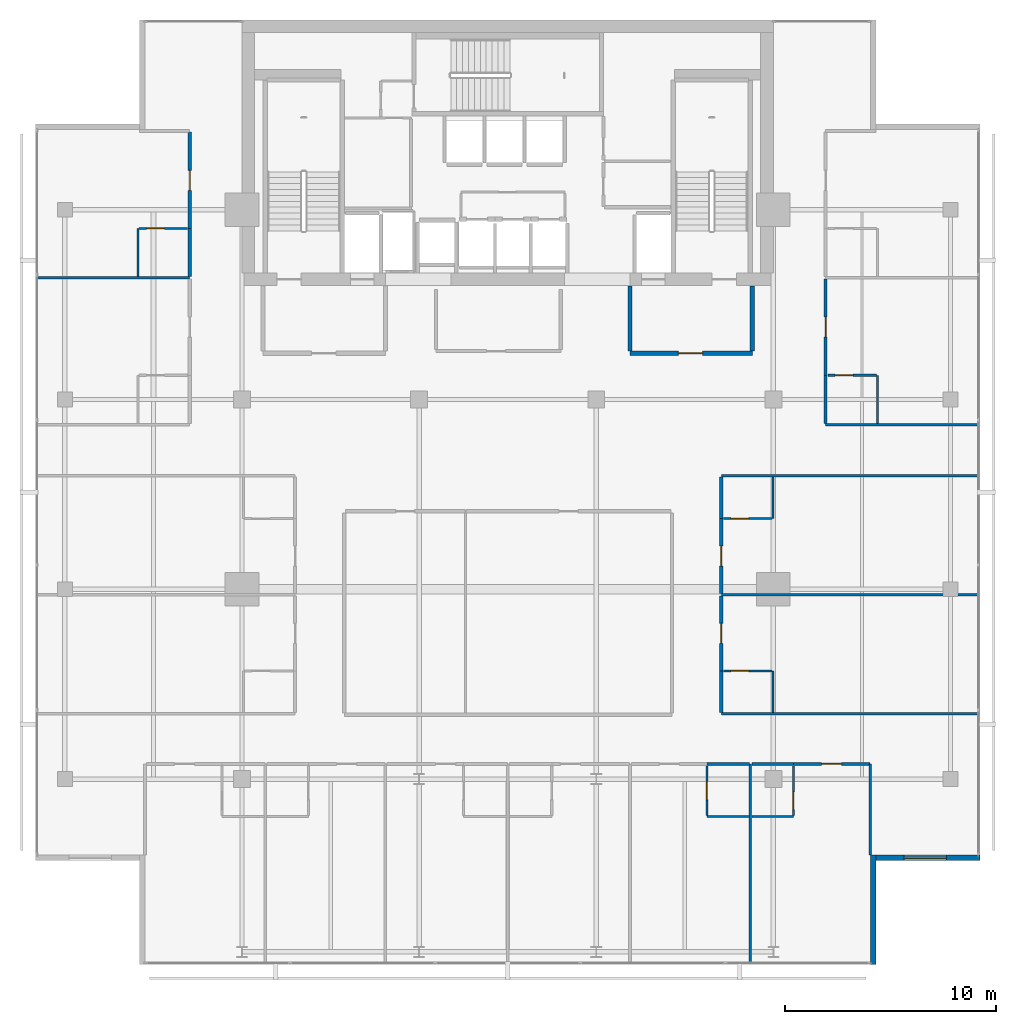
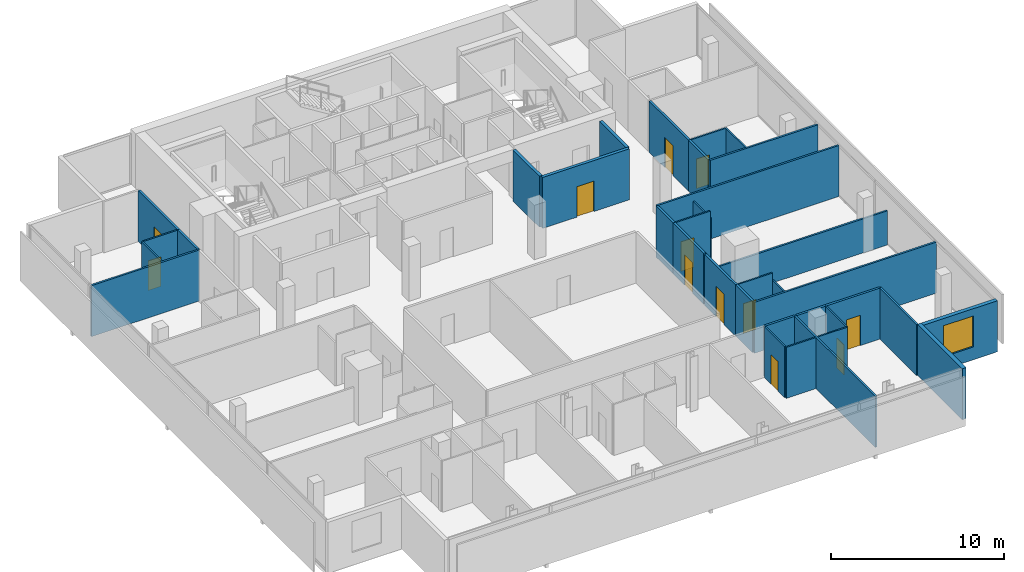
# One storey, part 21 of 25: 35 walls, 12 doors, 1 window, 13 openings.
"""IFC4 building model written with IfcOpenShell, lengths in metres."""

from ifc_helpers import new_model, si_unit, direction, frame, frame_2d, origin, place, context, subcontext, project, spatial, rectangle, extrude, material, layer, layer_set, type_object, element, fill, save


model = new_model("IFC4")

# Units and contexts
model_context = context("Model", 3, precision=1e-05, world=origin(), true_north=direction((0.0, 1.0)))
body_context = subcontext(model_context, "Body", "Model", "MODEL_VIEW")
ifc_project = project(units=[si_unit("LENGTHUNIT", "METRE"), si_unit("AREAUNIT", "SQUARE_METRE"), si_unit("VOLUMEUNIT", "CUBIC_METRE"), si_unit("PLANEANGLEUNIT", "RADIAN"), si_unit("MASSUNIT", "GRAM", prefix="KILO")], contexts=[model_context])

# Site, building, storey
site_placement = place(None, origin())
site = spatial("IfcSite", under=ifc_project, at=site_placement, CompositionType="ELEMENT")
building_placement = place(site_placement, origin())
building = spatial("IfcBuilding", under=site, at=building_placement, Name="Maruvema Waterfront Hotel and Observation Tower", CompositionType="ELEMENT")
storey_placement = place(building_placement, frame((0.0, 0.0, 247.10009765625)))
storey = spatial("IfcBuildingStorey", under=building, at=storey_placement, Name="L60", CompositionType="ELEMENT", Elevation=247.10009765625)

# Walls
ifc_material_1 = material(Name="Twin-stud acoustic gypsum drywall", Category="gypsum")
ifc_layer_1 = layer(ifc_material_1, 0.14990234375, Name="Acoustic Corridor and Suite Demising Wall 150 mm")
ifc_layer_set_1 = layer_set([ifc_layer_1], Name="Twin-stud acoustic gypsum drywall")
wall_type_1 = type_object("IfcWallType", Name="Acoustic Corridor and Suite Demising Wall 150 mm", PredefinedType="PARTITIONING", material=ifc_layer_set_1)
wall_1_placement = place(storey_placement, frame((47.25, 18.719970703125, 0.0), z_axis=(0.0, 0.0, 1.0), x_axis=(1.0, 0.0, 0.0)))
element("IfcWall", 1, at=wall_1_placement, inside=storey, type_object=wall_type_1, Name="L60 Bath L60-S5 Back Wall 053", PredefinedType="PARTITIONING", context=body_context, shape_type="SweptSolid", body=[
    extrude(rectangle(XDim=2.030029296875, YDim=0.14990234375, at=frame_2d((1.01513671875, 0.0))), origin(), (0.0, 0.0, 1.0), 3.60986328125),
])
wall_2_placement = place(storey_placement, frame((49.3798828125, 18.719970703125, 0.0), z_axis=(0.0, 0.0, 1.0), x_axis=(1.0, 0.0, 0.0)))
element("IfcWall", 2, at=wall_2_placement, inside=storey, type_object=wall_type_1, Name="L60 Bath L60-S6 Back Wall 058", PredefinedType="PARTITIONING", context=body_context, shape_type="SweptSolid", body=[
    extrude(rectangle(XDim=1.97021484375, YDim=0.14990234375, at=frame_2d((0.985107421875, 0.0))), origin(), (0.0, 0.0, 1.0), 3.60986328125),
])

# Wall, opening, door
wall_3_placement = place(storey_placement, frame((51.35009765625, 18.719970703125, 0.0), z_axis=(0.0, 0.0, 1.0), x_axis=(1.0, 0.0, 0.0)))
wall_3 = element("IfcWall", 3, at=wall_3_placement, inside=storey, type_object=wall_type_1, Name="L60 Unit L60-S6 Corridor Wall 061", PredefinedType="PARTITIONING", context=body_context, shape_type="SweptSolid", body=[
    extrude(rectangle(XDim=3.6298828125, YDim=0.14990234375, at=frame_2d((1.81494140625, 0.0))), origin(), (0.0, 0.0, 1.0), 3.60986328125),
])
opening_1_placement = place(wall_3_placement, frame((1.340087890625, 0.0, 0.0)))
opening_1 = element("IfcOpeningElement", 4, at=opening_1_placement, cuts=wall_3, Name="Opening DR-095", PredefinedType="OPENING", context=body_context, shape_type="SweptSolid", body=[
    extrude(rectangle(XDim=0.949951171875, YDim=2.14990234375, at=frame_2d((0.47509765625, 1.074951171875))), frame((0.0, 0.0849609375, 0.0), z_axis=(0.0, -1.0, 0.0), x_axis=(1.0, 0.0, 0.0)), (0.0, 0.0, 1.0), 0.169921875),
])
ifc_material_2 = material(Name="Acoustic solid-core hardwood timber leaf", Category="wood")
door_type_1 = type_object("IfcDoorType", Name="Guestroom Entrance Fire Door 950x2150 mm", OperationType="NOTDEFINED", PredefinedType="DOOR", material=ifc_material_2)
door_1_placement = place(opening_1_placement, frame((0.949951171875, 0.0, 0.0), z_axis=(0.0, 0.0, 1.0), x_axis=(-1.0, 0.0, 0.0)))
door_1 = element("IfcDoor", 5, at=door_1_placement, inside=storey, type_object=door_type_1, Name="L60 Unit L60-S6 Entrance Door", OperationType="SINGLE_SWING_RIGHT", OverallHeight=2.14990234375, OverallWidth=0.949951171875, PredefinedType="DOOR", context=body_context, shape_type="SweptSolid", body=[
    extrude(rectangle(XDim=0.949951171875, YDim=2.14990234375, at=frame_2d((0.47509765625, 1.074951171875))), frame((0.0, 0.02490234375, 0.0), z_axis=(0.0, -1.0, 0.0), x_axis=(1.0, 0.0, 0.0)), (0.0, 0.0, 1.0), 0.050048828125),
])
fill(opening_1, door_1)

# Wall
wall_4_placement = place(storey_placement, frame((47.929931640625, 21.159912109375, 0.0), z_axis=(0.0, 0.0, 1.0), x_axis=(0.0, 1.0, 0.0)))
element("IfcWall", 6, at=wall_4_placement, inside=storey, type_object=wall_type_1, Name="L60 Bath L60-E1 Wall 070", PredefinedType="PARTITIONING", context=body_context, shape_type="SweptSolid", body=[
    extrude(rectangle(XDim=1.969970703125, YDim=0.14990234375, at=frame_2d((0.98486328125, 0.0))), origin(), (0.0, 0.0, 1.0), 3.60986328125),
])

# Wall, opening, door
wall_5_placement = place(storey_placement, frame((47.929931640625, 23.1298828125, 0.0), z_axis=(0.0, 0.0, 1.0), x_axis=(0.0, 1.0, 0.0)))
wall_5 = element("IfcWall", 7, at=wall_5_placement, inside=storey, type_object=wall_type_1, Name="L60 Room L60-E1 Corridor Wall 071", PredefinedType="PARTITIONING", context=body_context, shape_type="SweptSolid", body=[
    extrude(rectangle(XDim=3.550048828125, YDim=0.14990234375, at=frame_2d((1.77490234375, 0.0))), origin(), (0.0, 0.0, 1.0), 3.60986328125),
])
opening_2_placement = place(wall_5_placement, frame((1.300048828125, 0.0, 0.0)))
opening_2 = element("IfcOpeningElement", 8, at=opening_2_placement, cuts=wall_5, Name="Opening DR-095", PredefinedType="OPENING", context=body_context, shape_type="SweptSolid", body=[
    extrude(rectangle(XDim=0.949951171875, YDim=2.14990234375, at=frame_2d((0.47509765625, 1.074951171875))), frame((0.0, 0.0849609375, 0.0), z_axis=(0.0, -1.0, 0.0), x_axis=(1.0, 0.0, 0.0)), (0.0, 0.0, 1.0), 0.169921875),
])
door_2_placement = place(opening_2_placement, frame((0.949951171875, 0.0, 0.0), z_axis=(0.0, 0.0, 1.0), x_axis=(-1.0, 0.0, 0.0)))
door_2 = element("IfcDoor", 9, at=door_2_placement, inside=storey, type_object=door_type_1, Name="L60 Room L60-E1 Entrance Door", OperationType="SINGLE_SWING_RIGHT", OverallHeight=2.14990234375, OverallWidth=0.949951171875, PredefinedType="DOOR", context=body_context, shape_type="SweptSolid", body=[
    extrude(rectangle(XDim=0.949951171875, YDim=2.14990234375, at=frame_2d((0.47509765625, 1.074951171875))), frame((0.0, 0.02490234375, 0.0), z_axis=(0.0, -1.0, 0.0), x_axis=(1.0, 0.0, 0.0)), (0.0, 0.0, 1.0), 0.050048828125),
])
fill(opening_2, door_2)

wall_6_placement = place(storey_placement, frame((47.929931640625, 26.800048828125, 0.0), z_axis=(0.0, 0.0, 1.0), x_axis=(0.0, 1.0, 0.0)))
wall_6 = element("IfcWall", 10, at=wall_6_placement, inside=storey, type_object=wall_type_1, Name="L60 Room L60-E2 Corridor Wall 080", PredefinedType="PARTITIONING", context=body_context, shape_type="SweptSolid", body=[
    extrude(rectangle(XDim=3.550048828125, YDim=0.14990234375, at=frame_2d((1.77490234375, 0.0))), origin(), (0.0, 0.0, 1.0), 3.60986328125),
])
opening_3_placement = place(wall_6_placement, frame((1.300048828125, 0.0, 0.0)))
opening_3 = element("IfcOpeningElement", 11, at=opening_3_placement, cuts=wall_6, Name="Opening DR-095", PredefinedType="OPENING", context=body_context, shape_type="SweptSolid", body=[
    extrude(rectangle(XDim=0.949951171875, YDim=2.14990234375, at=frame_2d((0.47509765625, 1.074951171875))), frame((0.0, 0.0849609375, 0.0), z_axis=(0.0, -1.0, 0.0), x_axis=(1.0, 0.0, 0.0)), (0.0, 0.0, 1.0), 0.169921875),
])
door_3_placement = place(opening_3_placement, frame((0.949951171875, 0.0, 0.0), z_axis=(0.0, 0.0, 1.0), x_axis=(-1.0, 0.0, 0.0)))
door_3 = element("IfcDoor", 12, at=door_3_placement, inside=storey, type_object=door_type_1, Name="L60 Room L60-E2 Entrance Door", OperationType="SINGLE_SWING_RIGHT", OverallHeight=2.14990234375, OverallWidth=0.949951171875, PredefinedType="DOOR", context=body_context, shape_type="SweptSolid", body=[
    extrude(rectangle(XDim=0.949951171875, YDim=2.14990234375, at=frame_2d((0.47509765625, 1.074951171875))), frame((0.0, 0.02490234375, 0.0), z_axis=(0.0, -1.0, 0.0), x_axis=(1.0, 0.0, 0.0)), (0.0, 0.0, 1.0), 0.050048828125),
])
fill(opening_3, door_3)

# Walls
wall_7_placement = place(storey_placement, frame((47.929931640625, 30.35009765625, 0.0), z_axis=(0.0, 0.0, 1.0), x_axis=(0.0, 1.0, 0.0)))
element("IfcWall", 13, at=wall_7_placement, inside=storey, type_object=wall_type_1, Name="L60 Bath L60-E2 Wall 081", PredefinedType="PARTITIONING", context=body_context, shape_type="SweptSolid", body=[
    extrude(rectangle(XDim=1.969970703125, YDim=0.14990234375, at=frame_2d((0.98486328125, 0.0))), origin(), (0.0, 0.0, 1.0), 3.60986328125),
])
wall_8_placement = place(storey_placement, frame((52.8798828125, 34.860107421875, 0.0), z_axis=(0.0, 0.0, 1.0), x_axis=(0.0, 1.0, 0.0)))
element("IfcWall", 14, at=wall_8_placement, inside=storey, type_object=wall_type_1, Name="L60 Bath L60-NE1 Wall 092", PredefinedType="PARTITIONING", context=body_context, shape_type="SweptSolid", body=[
    extrude(rectangle(XDim=2.289794921875, YDim=0.14990234375, at=frame_2d((1.14501953125, 0.0))), origin(), (0.0, 0.0, 1.0), 3.60986328125),
])

# Wall, opening, door
wall_9_placement = place(storey_placement, frame((52.8798828125, 37.14990234375, 0.0), z_axis=(0.0, 0.0, 1.0), x_axis=(0.0, 1.0, 0.0)))
wall_9 = element("IfcWall", 15, at=wall_9_placement, inside=storey, type_object=wall_type_1, Name="L60 Room L60-NE1 Corridor Wall 093", PredefinedType="PARTITIONING", context=body_context, shape_type="SweptSolid", body=[
    extrude(rectangle(XDim=4.558837890625, YDim=0.14990234375, at=frame_2d((2.279296875, 0.0))), origin(), (0.0, 0.0, 1.0), 3.60986328125),
])
opening_4_placement = place(wall_9_placement, frame((1.804443359375, 0.0, 0.0)))
opening_4 = element("IfcOpeningElement", 16, at=opening_4_placement, cuts=wall_9, Name="Opening DR-095", PredefinedType="OPENING", context=body_context, shape_type="SweptSolid", body=[
    extrude(rectangle(XDim=0.949951171875, YDim=2.14990234375, at=frame_2d((0.47509765625, 1.074951171875))), frame((0.0, 0.0849609375, 0.0), z_axis=(0.0, -1.0, 0.0), x_axis=(1.0, 0.0, 0.0)), (0.0, 0.0, 1.0), 0.169921875),
])
door_4_placement = place(opening_4_placement, frame((0.949951171875, 0.0, 0.0), z_axis=(0.0, 0.0, 1.0), x_axis=(-1.0, 0.0, 0.0)))
door_4 = element("IfcDoor", 17, at=door_4_placement, inside=storey, type_object=door_type_1, Name="L60 Room L60-NE1 Entrance Door", OperationType="SINGLE_SWING_RIGHT", OverallHeight=2.14990234375, OverallWidth=0.949951171875, PredefinedType="DOOR", context=body_context, shape_type="SweptSolid", body=[
    extrude(rectangle(XDim=0.949951171875, YDim=2.14990234375, at=frame_2d((0.47509765625, 1.074951171875))), frame((0.0, 0.02490234375, 0.0), z_axis=(0.0, -1.0, 0.0), x_axis=(1.0, 0.0, 0.0)), (0.0, 0.0, 1.0), 0.050048828125),
])
fill(opening_4, door_4)

# Wall
wall_10_placement = place(storey_placement, frame((22.719970703125, 41.82861328125, 0.0), z_axis=(0.0, 0.0, 1.0), x_axis=(0.0, 1.0, 0.0)))
element("IfcWall", 18, at=wall_10_placement, inside=storey, type_object=wall_type_1, Name="L60 Bath L60-NW2 Wall 098", PredefinedType="PARTITIONING", context=body_context, shape_type="SweptSolid", body=[
    extrude(rectangle(XDim=2.2900390625, YDim=0.14990234375, at=frame_2d((1.14501953125, 0.0))), origin(), (0.0, 0.0, 1.0), 3.60986328125),
])

# Wall, opening, door
wall_11_placement = place(storey_placement, frame((22.719970703125, 44.11865234375, 0.0), z_axis=(0.0, 0.0, 1.0), x_axis=(0.0, 1.0, 0.0)))
wall_11 = element("IfcWall", 19, at=wall_11_placement, inside=storey, type_object=wall_type_1, Name="L60 Room L60-NW2 Corridor Wall 099", PredefinedType="PARTITIONING", context=body_context, shape_type="SweptSolid", body=[
    extrude(rectangle(XDim=4.558837890625, YDim=0.14990234375, at=frame_2d((2.279296875, 0.0))), origin(), (0.0, 0.0, 1.0), 3.60986328125),
])
opening_5_placement = place(wall_11_placement, frame((1.804443359375, 0.0, 0.0)))
opening_5 = element("IfcOpeningElement", 20, at=opening_5_placement, cuts=wall_11, Name="Opening DR-095", PredefinedType="OPENING", context=body_context, shape_type="SweptSolid", body=[
    extrude(rectangle(XDim=0.949951171875, YDim=2.14990234375, at=frame_2d((0.47509765625, 1.074951171875))), frame((0.0, 0.0849609375, 0.0), z_axis=(0.0, -1.0, 0.0), x_axis=(1.0, 0.0, 0.0)), (0.0, 0.0, 1.0), 0.169921875),
])
door_5_placement = place(opening_5_placement, origin())
door_5 = element("IfcDoor", 21, at=door_5_placement, inside=storey, type_object=door_type_1, Name="L60 Room L60-NW2 Entrance Door", OperationType="SINGLE_SWING_RIGHT", OverallHeight=2.14990234375, OverallWidth=0.949951171875, PredefinedType="DOOR", context=body_context, shape_type="SweptSolid", body=[
    extrude(rectangle(XDim=0.949951171875, YDim=2.14990234375, at=frame_2d((0.47509765625, 1.074951171875))), frame((0.0, 0.02490234375, 0.0), z_axis=(0.0, -1.0, 0.0), x_axis=(1.0, 0.0, 0.0)), (0.0, 0.0, 1.0), 0.050048828125),
])
fill(opening_5, door_5)

# Wall
ifc_material_3 = material(Name="Moisture-resistant cement-board drywall", Category="gypsum")
ifc_layer_2 = layer(ifc_material_3, 0.10009765625, Name="En-Suite Moisture-Resistant Partition 100 mm")
ifc_layer_set_2 = layer_set([ifc_layer_2], Name="Moisture-resistant cement-board drywall")
wall_type_2 = type_object("IfcWallType", Name="En-Suite Moisture-Resistant Partition 100 mm", PredefinedType="PARTITIONING", material=ifc_layer_set_2)
wall_12_placement = place(storey_placement, frame((47.25, 16.219970703125, 0.0), z_axis=(0.0, 0.0, 1.0), x_axis=(1.0, 0.0, 0.0)))
element("IfcWall", 22, at=wall_12_placement, inside=storey, type_object=wall_type_2, Name="L60 En-Suite L60-S5 South 054", PredefinedType="PARTITIONING", context=body_context, shape_type="SweptSolid", body=[
    extrude(rectangle(XDim=2.010009765625, YDim=0.10009765625, at=frame_2d((1.0048828125, 0.0))), origin(), (0.0, 0.0, 1.0), 3.60986328125),
])

# Wall, opening, door
wall_13_placement = place(storey_placement, frame((47.25, 16.280029296875, 0.0), z_axis=(0.0, 0.0, 1.0), x_axis=(0.0, 1.0, 0.0)))
wall_13 = element("IfcWall", 23, at=wall_13_placement, inside=storey, type_object=wall_type_2, Name="L60 En-Suite L60-S5 West 055", PredefinedType="PARTITIONING", context=body_context, shape_type="SweptSolid", body=[
    extrude(rectangle(XDim=2.340087890625, YDim=0.10009765625, at=frame_2d((1.169921875, 0.0))), origin(), (0.0, 0.0, 1.0), 3.60986328125),
])
opening_6_placement = place(wall_13_placement, frame((0.7451171875, 0.0, 0.0)))
opening_6 = element("IfcOpeningElement", 24, at=opening_6_placement, cuts=wall_13, Name="Opening DR-085", PredefinedType="OPENING", context=body_context, shape_type="SweptSolid", body=[
    extrude(rectangle(XDim=0.85009765625, YDim=2.10009765625, at=frame_2d((0.425048828125, 1.050048828125))), frame((0.0, 0.06005859375, 0.0), z_axis=(0.0, -1.0, 0.0), x_axis=(1.0, 0.0, 0.0)), (0.0, 0.0, 1.0), 0.1201171875),
])
ifc_material_4 = material(Name="Moisture-resistant solid timber leaf", Category="wood")
door_type_2 = type_object("IfcDoorType", Name="En-Suite Bathroom Door 850x2100 mm", OperationType="NOTDEFINED", PredefinedType="DOOR", material=ifc_material_4)
door_6_placement = place(opening_6_placement, origin())
door_6 = element("IfcDoor", 25, at=door_6_placement, inside=storey, type_object=door_type_2, Name="L60 En-Suite L60-S5 Door", OperationType="SINGLE_SWING_LEFT", OverallHeight=2.10009765625, OverallWidth=0.85009765625, PredefinedType="DOOR", context=body_context, shape_type="SweptSolid", body=[
    extrude(rectangle(XDim=0.85009765625, YDim=2.10009765625, at=frame_2d((0.425048828125, 1.050048828125))), frame((0.0, 0.02490234375, 0.0), z_axis=(0.0, -1.0, 0.0), x_axis=(1.0, 0.0, 0.0)), (0.0, 0.0, 1.0), 0.050048828125),
])
fill(opening_6, door_6)

# Wall
wall_14_placement = place(storey_placement, frame((49.3798828125, 16.219970703125, 0.0), z_axis=(0.0, 0.0, 1.0), x_axis=(1.0, 0.0, 0.0)))
element("IfcWall", 26, at=wall_14_placement, inside=storey, type_object=wall_type_2, Name="L60 En-Suite L60-S6 South 059", PredefinedType="PARTITIONING", context=body_context, shape_type="SweptSolid", body=[
    extrude(rectangle(XDim=1.97021484375, YDim=0.10009765625, at=frame_2d((0.985107421875, 0.0))), origin(), (0.0, 0.0, 1.0), 3.60986328125),
])

# Wall, opening, door
wall_15_placement = place(storey_placement, frame((51.35009765625, 16.280029296875, 0.0), z_axis=(0.0, 0.0, 1.0), x_axis=(0.0, 1.0, 0.0)))
wall_15 = element("IfcWall", 27, at=wall_15_placement, inside=storey, type_object=wall_type_2, Name="L60 En-Suite L60-S6 East 060", PredefinedType="PARTITIONING", context=body_context, shape_type="SweptSolid", body=[
    extrude(rectangle(XDim=2.340087890625, YDim=0.10009765625, at=frame_2d((1.169921875, 0.0))), origin(), (0.0, 0.0, 1.0), 3.60986328125),
])
opening_7_placement = place(wall_15_placement, frame((0.264892578125, 0.0, 0.0)))
opening_7 = element("IfcOpeningElement", 28, at=opening_7_placement, cuts=wall_15, Name="Opening DR-085", PredefinedType="OPENING", context=body_context, shape_type="SweptSolid", body=[
    extrude(rectangle(XDim=0.85009765625, YDim=2.10009765625, at=frame_2d((0.425048828125, 1.050048828125))), frame((0.0, 0.06005859375, 0.0), z_axis=(0.0, -1.0, 0.0), x_axis=(1.0, 0.0, 0.0)), (0.0, 0.0, 1.0), 0.1201171875),
])
door_7_placement = place(opening_7_placement, frame((0.85009765625, 0.0, 0.0), z_axis=(0.0, 0.0, 1.0), x_axis=(-1.0, 0.0, 0.0)))
door_7 = element("IfcDoor", 29, at=door_7_placement, inside=storey, type_object=door_type_2, Name="L60 En-Suite L60-S6 Door", OperationType="SINGLE_SWING_LEFT", OverallHeight=2.10009765625, OverallWidth=0.85009765625, PredefinedType="DOOR", context=body_context, shape_type="SweptSolid", body=[
    extrude(rectangle(XDim=0.85009765625, YDim=2.10009765625, at=frame_2d((0.425048828125, 1.050048828125))), frame((0.0, 0.02490234375, 0.0), z_axis=(0.0, -1.0, 0.0), x_axis=(1.0, 0.0, 0.0)), (0.0, 0.0, 1.0), 0.050048828125),
])
fill(opening_7, door_7)

# Wall
wall_16_placement = place(storey_placement, frame((50.3798828125, 21.159912109375, 0.0), z_axis=(0.0, 0.0, 1.0), x_axis=(0.0, 1.0, 0.0)))
element("IfcWall", 30, at=wall_16_placement, inside=storey, type_object=wall_type_2, Name="L60 En-Suite L60-E1 E 072", PredefinedType="PARTITIONING", context=body_context, shape_type="SweptSolid", body=[
    extrude(rectangle(XDim=1.969970703125, YDim=0.10009765625, at=frame_2d((0.98486328125, 0.0))), origin(), (0.0, 0.0, 1.0), 3.076904296875),
])

# Wall, opening, door
wall_17_placement = place(storey_placement, frame((48.030029296875, 23.1298828125, 0.0), z_axis=(0.0, 0.0, 1.0), x_axis=(1.0, 0.0, 0.0)))
wall_17 = element("IfcWall", 31, at=wall_17_placement, inside=storey, type_object=wall_type_2, Name="L60 En-Suite L60-E1 N 073", PredefinedType="PARTITIONING", context=body_context, shape_type="SweptSolid", body=[
    extrude(rectangle(XDim=2.300048828125, YDim=0.10009765625, at=frame_2d((1.14990234375, 0.0))), origin(), (0.0, 0.0, 1.0), 3.60986328125),
])
opening_8_placement = place(wall_17_placement, frame((0.35009765625, 0.0, 0.0)))
opening_8 = element("IfcOpeningElement", 32, at=opening_8_placement, cuts=wall_17, Name="Opening DR-085", PredefinedType="OPENING", context=body_context, shape_type="SweptSolid", body=[
    extrude(rectangle(XDim=0.85009765625, YDim=2.10009765625, at=frame_2d((0.425048828125, 1.050048828125))), frame((0.0, 0.06005859375, 0.0), z_axis=(0.0, -1.0, 0.0), x_axis=(1.0, 0.0, 0.0)), (0.0, 0.0, 1.0), 0.1201171875),
])
door_8_placement = place(opening_8_placement, origin())
door_8 = element("IfcDoor", 33, at=door_8_placement, inside=storey, type_object=door_type_2, Name="L60 En-Suite L60-E1 Door", OperationType="SINGLE_SWING_LEFT", OverallHeight=2.10009765625, OverallWidth=0.85009765625, PredefinedType="DOOR", context=body_context, shape_type="SweptSolid", body=[
    extrude(rectangle(XDim=0.85009765625, YDim=2.10009765625, at=frame_2d((0.425048828125, 1.050048828125))), frame((0.0, 0.02490234375, 0.0), z_axis=(0.0, -1.0, 0.0), x_axis=(1.0, 0.0, 0.0)), (0.0, 0.0, 1.0), 0.050048828125),
])
fill(opening_8, door_8)

# Wall
wall_18_placement = place(storey_placement, frame((50.3798828125, 30.35009765625, 0.0), z_axis=(0.0, 0.0, 1.0), x_axis=(0.0, 1.0, 0.0)))
element("IfcWall", 34, at=wall_18_placement, inside=storey, type_object=wall_type_2, Name="L60 En-Suite L60-E2 E 082", PredefinedType="PARTITIONING", context=body_context, shape_type="SweptSolid", body=[
    extrude(rectangle(XDim=1.969970703125, YDim=0.10009765625, at=frame_2d((0.98486328125, 0.0))), origin(), (0.0, 0.0, 1.0), 3.076904296875),
])

# Wall, opening, door
wall_19_placement = place(storey_placement, frame((48.030029296875, 30.35009765625, 0.0), z_axis=(0.0, 0.0, 1.0), x_axis=(1.0, 0.0, 0.0)))
wall_19 = element("IfcWall", 35, at=wall_19_placement, inside=storey, type_object=wall_type_2, Name="L60 En-Suite L60-E2 S 083", PredefinedType="PARTITIONING", context=body_context, shape_type="SweptSolid", body=[
    extrude(rectangle(XDim=2.300048828125, YDim=0.10009765625, at=frame_2d((1.14990234375, 0.0))), origin(), (0.0, 0.0, 1.0), 3.60986328125),
])
opening_9_placement = place(wall_19_placement, frame((0.35009765625, 0.0, 0.0)))
opening_9 = element("IfcOpeningElement", 36, at=opening_9_placement, cuts=wall_19, Name="Opening DR-085", PredefinedType="OPENING", context=body_context, shape_type="SweptSolid", body=[
    extrude(rectangle(XDim=0.85009765625, YDim=2.10009765625, at=frame_2d((0.425048828125, 1.050048828125))), frame((0.0, 0.06005859375, 0.0), z_axis=(0.0, -1.0, 0.0), x_axis=(1.0, 0.0, 0.0)), (0.0, 0.0, 1.0), 0.1201171875),
])
door_9_placement = place(opening_9_placement, frame((0.85009765625, 0.0, 0.0), z_axis=(0.0, 0.0, 1.0), x_axis=(-1.0, 0.0, 0.0)))
door_9 = element("IfcDoor", 37, at=door_9_placement, inside=storey, type_object=door_type_2, Name="L60 En-Suite L60-E2 Door", OperationType="SINGLE_SWING_LEFT", OverallHeight=2.10009765625, OverallWidth=0.85009765625, PredefinedType="DOOR", context=body_context, shape_type="SweptSolid", body=[
    extrude(rectangle(XDim=0.85009765625, YDim=2.10009765625, at=frame_2d((0.425048828125, 1.050048828125))), frame((0.0, 0.02490234375, 0.0), z_axis=(0.0, -1.0, 0.0), x_axis=(1.0, 0.0, 0.0)), (0.0, 0.0, 1.0), 0.050048828125),
])
fill(opening_9, door_9)

# Wall
wall_20_placement = place(storey_placement, frame((55.330078125, 34.860107421875, 0.0), z_axis=(0.0, 0.0, 1.0), x_axis=(0.0, 1.0, 0.0)))
element("IfcWall", 38, at=wall_20_placement, inside=storey, type_object=wall_type_2, Name="L60 En-Suite L60-NE1 E 094", PredefinedType="PARTITIONING", context=body_context, shape_type="SweptSolid", body=[
    extrude(rectangle(XDim=2.289794921875, YDim=0.10009765625, at=frame_2d((1.14501953125, 0.0))), origin(), (0.0, 0.0, 1.0), 3.60986328125),
])

# Wall, opening, door
wall_21_placement = place(storey_placement, frame((52.97998046875, 37.14990234375, 0.0), z_axis=(0.0, 0.0, 1.0), x_axis=(1.0, 0.0, 0.0)))
wall_21 = element("IfcWall", 39, at=wall_21_placement, inside=storey, type_object=wall_type_2, Name="L60 En-Suite L60-NE1 N 095", PredefinedType="PARTITIONING", context=body_context, shape_type="SweptSolid", body=[
    extrude(rectangle(XDim=2.300048828125, YDim=0.10009765625, at=frame_2d((1.14990234375, 0.0))), origin(), (0.0, 0.0, 1.0), 3.60986328125),
])
opening_10_placement = place(wall_21_placement, frame((0.35009765625, 0.0, 0.0)))
opening_10 = element("IfcOpeningElement", 40, at=opening_10_placement, cuts=wall_21, Name="Opening DR-085", PredefinedType="OPENING", context=body_context, shape_type="SweptSolid", body=[
    extrude(rectangle(XDim=0.85009765625, YDim=2.10009765625, at=frame_2d((0.425048828125, 1.050048828125))), frame((0.0, 0.06005859375, 0.0), z_axis=(0.0, -1.0, 0.0), x_axis=(1.0, 0.0, 0.0)), (0.0, 0.0, 1.0), 0.1201171875),
])
door_10_placement = place(opening_10_placement, origin())
door_10 = element("IfcDoor", 41, at=door_10_placement, inside=storey, type_object=door_type_2, Name="L60 En-Suite L60-NE1 Door", OperationType="SINGLE_SWING_LEFT", OverallHeight=2.10009765625, OverallWidth=0.85009765625, PredefinedType="DOOR", context=body_context, shape_type="SweptSolid", body=[
    extrude(rectangle(XDim=0.85009765625, YDim=2.10009765625, at=frame_2d((0.425048828125, 1.050048828125))), frame((0.0, 0.02490234375, 0.0), z_axis=(0.0, -1.0, 0.0), x_axis=(1.0, 0.0, 0.0)), (0.0, 0.0, 1.0), 0.050048828125),
])
fill(opening_10, door_10)

# Wall
wall_22_placement = place(storey_placement, frame((20.27001953125, 41.82861328125, 0.0), z_axis=(0.0, 0.0, 1.0), x_axis=(0.0, 1.0, 0.0)))
element("IfcWall", 42, at=wall_22_placement, inside=storey, type_object=wall_type_2, Name="L60 En-Suite L60-NW2 W 100", PredefinedType="PARTITIONING", context=body_context, shape_type="SweptSolid", body=[
    extrude(rectangle(XDim=2.2900390625, YDim=0.10009765625, at=frame_2d((1.14501953125, 0.0))), origin(), (0.0, 0.0, 1.0), 3.60986328125),
])

# Wall, opening, door
wall_23_placement = place(storey_placement, frame((20.320068359375, 44.11865234375, 0.0), z_axis=(0.0, 0.0, 1.0), x_axis=(1.0, 0.0, 0.0)))
wall_23 = element("IfcWall", 43, at=wall_23_placement, inside=storey, type_object=wall_type_2, Name="L60 En-Suite L60-NW2 N 101", PredefinedType="PARTITIONING", context=body_context, shape_type="SweptSolid", body=[
    extrude(rectangle(XDim=2.300048828125, YDim=0.10009765625, at=frame_2d((1.14990234375, 0.0))), origin(), (0.0, 0.0, 1.0), 3.60986328125),
])
opening_11_placement = place(wall_23_placement, frame((0.35009765625, 0.0, 0.0)))
opening_11 = element("IfcOpeningElement", 44, at=opening_11_placement, cuts=wall_23, Name="Opening DR-085", PredefinedType="OPENING", context=body_context, shape_type="SweptSolid", body=[
    extrude(rectangle(XDim=0.85009765625, YDim=2.10009765625, at=frame_2d((0.425048828125, 1.050048828125))), frame((0.0, 0.06005859375, 0.0), z_axis=(0.0, -1.0, 0.0), x_axis=(1.0, 0.0, 0.0)), (0.0, 0.0, 1.0), 0.1201171875),
])
door_11_placement = place(opening_11_placement, origin())
door_11 = element("IfcDoor", 45, at=door_11_placement, inside=storey, type_object=door_type_2, Name="L60 En-Suite L60-NW2 Door", OperationType="SINGLE_SWING_LEFT", OverallHeight=2.10009765625, OverallWidth=0.85009765625, PredefinedType="DOOR", context=body_context, shape_type="SweptSolid", body=[
    extrude(rectangle(XDim=0.85009765625, YDim=2.10009765625, at=frame_2d((0.425048828125, 1.050048828125))), frame((0.0, 0.02490234375, 0.0), z_axis=(0.0, -1.0, 0.0), x_axis=(1.0, 0.0, 0.0)), (0.0, 0.0, 1.0), 0.050048828125),
])
fill(opening_11, door_11)

# Wall
ifc_material_5 = material(Name="Precast concrete C45/55 with honed Pernambuco granite facing", Category="masonry")
ifc_layer_3 = layer(ifc_material_5, 0.260009765625, Name="Exterior Granite Clad Spandrel and Pier Wall 260 mm")
ifc_layer_set_3 = layer_set([ifc_layer_3], Name="Precast concrete C45/55 with honed Pernambuco granite facing")
wall_type_3 = type_object("IfcWallType", Name="Exterior Granite Clad Spandrel and Pier Wall 260 mm", PredefinedType="SOLIDWALL", material=ifc_layer_set_3)
wall_24_placement = place(storey_placement, frame((55.1298828125, 14.39990234375, 0.0), z_axis=(0.0, 0.0, 1.0), x_axis=(0.0, -1.0, 0.0)))
element("IfcWall", 46, at=wall_24_placement, inside=storey, type_object=wall_type_3, Name="L60 Corner Notch Granite Pier Wall SE1", PredefinedType="SOLIDWALL", context=body_context, shape_type="SweptSolid", body=[
    extrude(rectangle(XDim=5.199951171875, YDim=0.260009765625, at=frame_2d((2.60009765625, 0.0))), origin(), (0.0, 0.0, 1.0), 3.60986328125),
])

# Wall, opening, window
wall_25_placement = place(storey_placement, frame((60.199951171875, 14.27001953125, 0.0), z_axis=(0.0, 0.0, 1.0), x_axis=(-1.0, 0.0, 0.0)))
wall_25 = element("IfcWall", 47, at=wall_25_placement, inside=storey, type_object=wall_type_3, Name="L60 Corner Notch Granite Pier Wall SE2", PredefinedType="SOLIDWALL", context=body_context, shape_type="SweptSolid", body=[
    extrude(rectangle(XDim=5.199951171875, YDim=0.260009765625, at=frame_2d((2.60009765625, 0.0))), origin(), (0.0, 0.0, 1.0), 3.60986328125),
])
opening_12_placement = place(wall_25_placement, frame((1.60009765625, 0.0, 0.89990234375)))
opening_12 = element("IfcOpeningElement", 48, at=opening_12_placement, cuts=wall_25, Name="Opening WN-03", PredefinedType="OPENING", context=body_context, shape_type="SweptSolid", body=[
    extrude(rectangle(XDim=2.0, YDim=2.199951171875, at=frame_2d((1.0, 1.10009765625))), frame((0.0, 0.14013671875, 0.0), z_axis=(0.0, -1.0, 0.0), x_axis=(1.0, 0.0, 0.0)), (0.0, 0.0, 1.0), 0.280029296875),
])
ifc_material_6 = material(Name="Anodised bronze aluminium frame with laminated low-E glass", Category="aluminium")
window_type = type_object("IfcWindowType", Name="Sky Suite Panoramic Notch Window 2000x2200 mm", PartitioningType="SINGLE_PANEL", PredefinedType="WINDOW", material=ifc_material_6)
window_placement = place(opening_12_placement, origin())
window = element("IfcWindow", 49, at=window_placement, inside=storey, type_object=window_type, Name="L60 Corner Notch Punched Window SE2", OverallHeight=2.199951171875, OverallWidth=2.0, PartitioningType="SINGLE_PANEL", PredefinedType="WINDOW", context=body_context, shape_type="SweptSolid", body=[
    extrude(rectangle(XDim=2.0, YDim=2.199951171875, at=frame_2d((1.0, 1.10009765625))), frame((0.0, 0.030029296875, 0.0), z_axis=(0.0, -1.0, 0.0), x_axis=(1.0, 0.0, 0.0)), (0.0, 0.0, 1.0), 0.06005859375),
])
fill(opening_12, window)

# Wall, opening, door
ifc_material_7 = material(Name="Autoclaved cellular concrete blockwork", Category="masonry")
ifc_layer_4 = layer(ifc_material_7, 0.199951171875, Name="Fire Compartment Masonry Wall 200 mm")
ifc_layer_set_4 = layer_set([ifc_layer_4], Name="Autoclaved cellular concrete blockwork")
wall_type_4 = type_object("IfcWallType", Name="Fire Compartment Masonry Wall 200 mm", PredefinedType="PARTITIONING", material=ifc_layer_set_4)
wall_26_placement = place(storey_placement, frame((43.60009765625, 38.199951171875, 0.0), z_axis=(0.0, 0.0, 1.0), x_axis=(1.0, 0.0, 0.0)))
wall_26 = element("IfcWall", 50, at=wall_26_placement, inside=storey, type_object=wall_type_4, Name="L60 FFL East South Wall 004", PredefinedType="PARTITIONING", context=body_context, shape_type="SweptSolid", body=[
    extrude(rectangle(XDim=5.7998046875, YDim=0.199951171875, at=frame_2d((2.89990234375, 0.0))), origin(), (0.0, 0.0, 1.0), 3.60986328125),
])
opening_13_placement = place(wall_26_placement, frame((2.300048828125, 0.0, 0.0)))
opening_13 = element("IfcOpeningElement", 51, at=opening_13_placement, cuts=wall_26, Name="Opening FD-115", PredefinedType="OPENING", context=body_context, shape_type="SweptSolid", body=[
    extrude(rectangle(XDim=1.14990234375, YDim=2.14990234375, at=frame_2d((0.574951171875, 1.074951171875))), frame((0.0, 0.10986328125, 0.0), z_axis=(0.0, -1.0, 0.0), x_axis=(1.0, 0.0, 0.0)), (0.0, 0.0, 1.0), 0.219970703125),
])
ifc_material_8 = material(Name="Fire-rated galvanised steel and vision glass", Category="steel")
door_type_3 = type_object("IfcDoorType", Name="Firefighting Lobby Fire Door 1150x2150 mm", OperationType="NOTDEFINED", PredefinedType="DOOR", material=ifc_material_8)
door_12_placement = place(opening_13_placement, frame((1.14990234375, 0.0, 0.0), z_axis=(0.0, 0.0, 1.0), x_axis=(-1.0, 0.0, 0.0)))
door_12 = element("IfcDoor", 52, at=door_12_placement, inside=storey, type_object=door_type_3, Name="L60 Firefighting Lobby East Door", OperationType="SINGLE_SWING_LEFT", OverallHeight=2.14990234375, OverallWidth=1.14990234375, PredefinedType="DOOR", context=body_context, shape_type="SweptSolid", body=[
    extrude(rectangle(XDim=1.14990234375, YDim=2.14990234375, at=frame_2d((0.574951171875, 1.074951171875))), frame((0.0, 0.02490234375, 0.0), z_axis=(0.0, -1.0, 0.0), x_axis=(1.0, 0.0, 0.0)), (0.0, 0.0, 1.0), 0.050048828125),
])
fill(opening_13, door_12)

# Walls
for number, where, z_axis, x_axis, name in (
    (53, (43.60009765625, 38.31005859375, 0.0), (0.0, 0.0, 1.0), (0.0, 1.0, 0.0), "L60 FFL East West Wall 005"),
    (54, (49.39990234375, 38.31005859375, 0.0), (0.0, 0.0, 1.0), (0.0, 1.0, 0.0), "L60 FFL East East Wall 006"),
):
    element("IfcWall", number, at=place(storey_placement, frame(where, z_axis=z_axis, x_axis=x_axis)), inside=storey, type_object=wall_type_4, Name=name, PredefinedType="PARTITIONING", context=body_context, shape_type="SweptSolid", body=[
        extrude(rectangle(XDim=3.06982421875, YDim=0.199951171875, at=frame_2d((1.534912109375, 0.0))), origin(), (0.0, 0.0, 1.0), 3.60986328125),
    ])
ifc_material_9 = material(Name="Acoustic gypsum plasterboard drywall", Category="gypsum")
ifc_layer_5 = layer(ifc_material_9, 0.125, Name="Guestroom Acoustic Demising Wall 125 mm")
ifc_layer_set_5 = layer_set([ifc_layer_5], Name="Acoustic gypsum plasterboard drywall")
wall_type_5 = type_object("IfcWallType", Name="Guestroom Acoustic Demising Wall 125 mm", PredefinedType="PARTITIONING", material=ifc_layer_set_5)
wall_27_placement = place(storey_placement, frame((55.0, 14.39990234375, 0.0), z_axis=(0.0, 0.0, 1.0), x_axis=(0.0, 1.0, 0.0)))
element("IfcWall", 55, at=wall_27_placement, inside=storey, type_object=wall_type_5, Name="L60 Z3 S East End 032", PredefinedType="PARTITIONING", context=body_context, shape_type="SweptSolid", body=[
    extrude(rectangle(XDim=4.320068359375, YDim=0.125, at=frame_2d((2.16015625, 0.0))), origin(), (0.0, 0.0, 1.0), 3.60986328125),
])
wall_28_placement = place(storey_placement, frame((49.300048828125, 9.300048828125, 0.0), z_axis=(0.0, 0.0, 1.0), x_axis=(0.0, 1.0, 0.0)))
element("IfcWall", 56, at=wall_28_placement, inside=storey, type_object=wall_type_5, Name="L60 Z3 S Demising 6 057", PredefinedType="PARTITIONING", context=body_context, shape_type="SweptSolid", body=[
    extrude(rectangle(XDim=9.419921875, YDim=0.125, at=frame_2d((4.7099609375, 0.0))), origin(), (0.0, 0.0, 1.0), 3.60986328125),
])
for number, where, z_axis, x_axis, name in (
    (57, (47.929931640625, 21.10009765625, 0.0), (0.0, 0.0, 1.0), (1.0, 0.0, 0.0), "L60 Z3 E Bot End 063"),
    (58, (47.929931640625, 32.3798828125, 0.0), (0.0, 0.0, 1.0), (1.0, 0.0, 0.0), "L60 Z3 E Top End 065"),
):
    element("IfcWall", number, at=place(storey_placement, frame(where, z_axis=z_axis, x_axis=x_axis)), inside=storey, type_object=wall_type_5, Name=name, PredefinedType="PARTITIONING", context=body_context, shape_type="SweptSolid", body=[
        extrude(rectangle(XDim=12.170166015625, YDim=0.125, at=frame_2d((6.0849609375, 0.0))), origin(), (0.0, 0.0, 1.0), 3.60986328125),
    ])
wall_29_placement = place(storey_placement, frame((47.929931640625, 26.739990234375, 0.0), z_axis=(0.0, 0.0, 1.0), x_axis=(1.0, 0.0, 0.0)))
element("IfcWall", 59, at=wall_29_placement, inside=storey, type_object=wall_type_5, Name="L60 Z3 E Demising 2 075", PredefinedType="PARTITIONING", context=body_context, shape_type="SweptSolid", body=[
    extrude(rectangle(XDim=12.170166015625, YDim=0.125, at=frame_2d((6.0849609375, 0.0))), origin(), (0.0, 0.0, 1.0), 2.409912109375),
])
wall_30_placement = place(storey_placement, frame((52.8798828125, 34.800048828125, 0.0), z_axis=(0.0, 0.0, 1.0), x_axis=(1.0, 0.0, 0.0)))
element("IfcWall", 60, at=wall_30_placement, inside=storey, type_object=wall_type_5, Name="L60 Z3 NE Bot End 085", PredefinedType="PARTITIONING", context=body_context, shape_type="SweptSolid", body=[
    extrude(rectangle(XDim=7.22021484375, YDim=0.125, at=frame_2d((3.610107421875, 0.0))), origin(), (0.0, 0.0, 1.0), 3.60986328125),
])
wall_31_placement = place(storey_placement, frame((15.5, 41.768798828125, 0.0), z_axis=(0.0, 0.0, 1.0), x_axis=(1.0, 0.0, 0.0)))
element("IfcWall", 61, at=wall_31_placement, inside=storey, type_object=wall_type_5, Name="L60 Z3 NW Demising 2 096", PredefinedType="PARTITIONING", context=body_context, shape_type="SweptSolid", body=[
    extrude(rectangle(XDim=7.219970703125, YDim=0.125, at=frame_2d((3.60986328125, 0.0))), origin(), (0.0, 0.0, 1.0), 3.60986328125),
])

save(model, "model.ifc")
